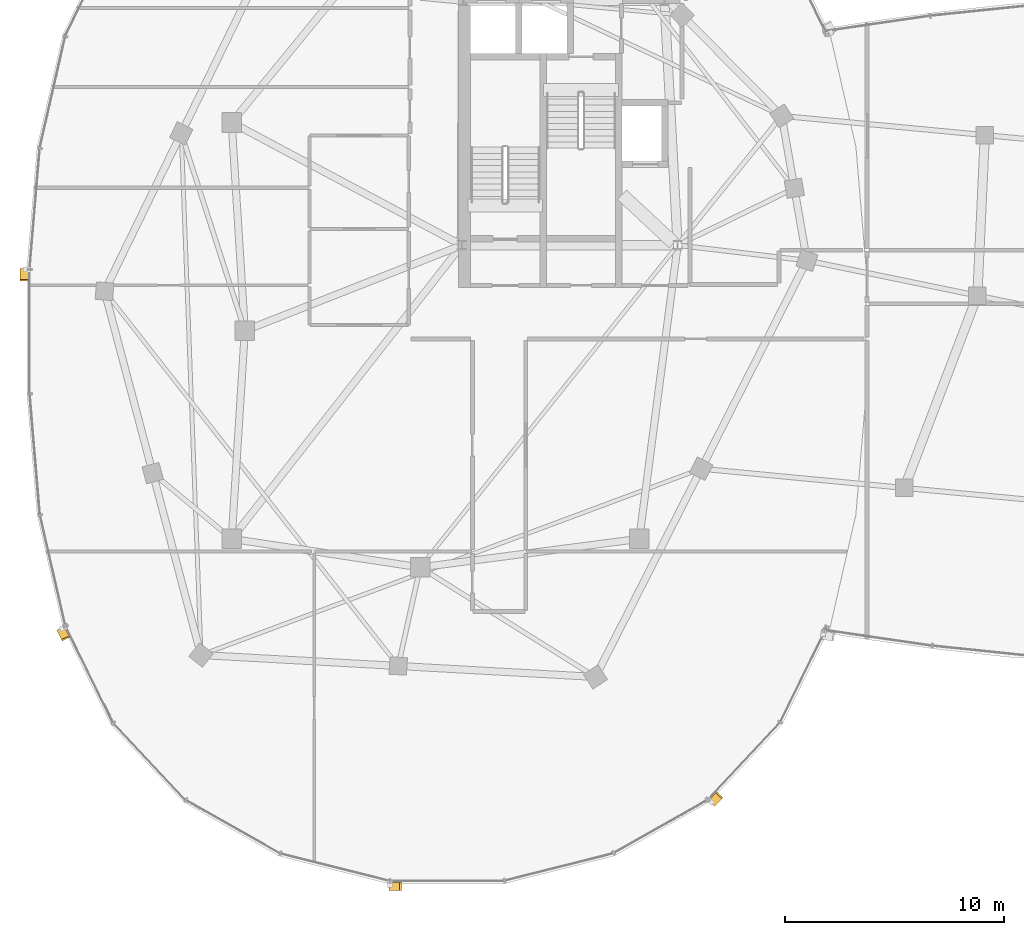
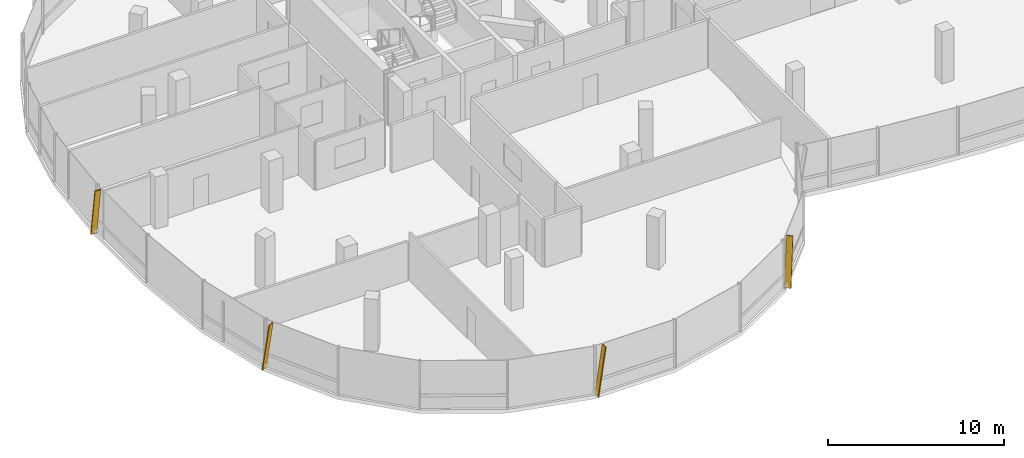
# One storey, part 20 of 25: 4 shading devices.
"""IFC4 building model written with IfcOpenShell, lengths in metres."""

from ifc_helpers import new_model, si_unit, direction, frame, origin, origin_2d, place, context, subcontext, project, spatial, rectangle, extrude, material, material_profile, profile_set, type_object, element, save


model = new_model("IFC4")

# Units and contexts
model_context = context("Model", 3, precision=1e-05, world=origin(), true_north=direction((0.0, 1.0)))
body_context = subcontext(model_context, "Body", "Model", "MODEL_VIEW")
ifc_project = project(units=[si_unit("LENGTHUNIT", "METRE"), si_unit("AREAUNIT", "SQUARE_METRE"), si_unit("VOLUMEUNIT", "CUBIC_METRE"), si_unit("PLANEANGLEUNIT", "RADIAN"), si_unit("MASSUNIT", "GRAM", prefix="KILO"), si_unit("THERMODYNAMICTEMPERATUREUNIT", "KELVIN"), si_unit("POWERUNIT", "WATT")], contexts=[model_context])

# Site, building, storey
site_placement = place(None, origin())
site = spatial("IfcSite", under=ifc_project, at=site_placement, CompositionType="ELEMENT")
building_placement = place(site_placement, origin())
building = spatial("IfcBuilding", under=site, at=building_placement, Name="Cundina Bronze Exchange", CompositionType="ELEMENT")
storey_placement = place(building_placement, frame((0.0, 0.0, 257.60009765625)))
storey = spatial("IfcBuildingStorey", under=building, at=storey_placement, Name="L68", CompositionType="ELEMENT", Elevation=257.60009765625)

# Shading devices
ifc_material = material(Name="Anodised Bronze Aluminium 6063-T6", Category="aluminium")
ifc_material_profile = material_profile(ifc_material, rectangle(XDim=0.070068359375, YDim=0.3798828125, at=origin_2d()), Name="FIN70X380", Category="aluminium")
ifc_profile_set = profile_set([ifc_material_profile], Name="Anodised Bronze Aluminium 6063-T6")
shading_device_type = type_object("IfcShadingDeviceType", Name="SHD-FIN-BRZ380", PredefinedType="USERDEFINED", material=ifc_profile_set)
for number, where, z_axis, x_axis, name in (
    (1, (-51.26904296875, 2.79150390625, 0.02001953125), (0.0, -0.143942452949, 0.989586060047), (0.0, 0.989586060047, 0.143942452949), "L68 Diagonal Bronze Solar Fin 5"),
    (2, (-49.593505859375, -13.614013671875, 0.02001953125), (0.06340496231, -0.129226049049, 0.989585993738), (-0.435899643486, 0.888409781469, 0.143942908816), "L68 Diagonal Bronze Solar Fin 1"),
    (3, (-34.576416015625, -25.360107421875, 0.02001953125), (0.143942452949, 0.0, 0.989586060047), (-0.989586060047, 0.0, 0.143942452949), "L68 Diagonal Bronze Solar Fin 5"),
    (4, (-19.877685546875, -21.55078125, 0.02001953125), (0.09854858404, 0.104918366218, 0.989585930081), (-0.677504689193, -0.721295854096, 0.143943346447), "L68 Diagonal Bronze Solar Fin 1"),
):
    element("IfcShadingDevice", number, at=place(storey_placement, frame(where, z_axis=z_axis, x_axis=x_axis)), inside=storey, type_object=shading_device_type, Name=name, ObjectType="FIN", PredefinedType="USERDEFINED", context=body_context, shape_type="SweptSolid", body=[
        extrude(rectangle(XDim=0.070068359375, YDim=0.3798828125, at=origin_2d()), origin(), (0.0, 0.0, 1.0), 3.33447265625),
    ])

save(model, "model.ifc")
